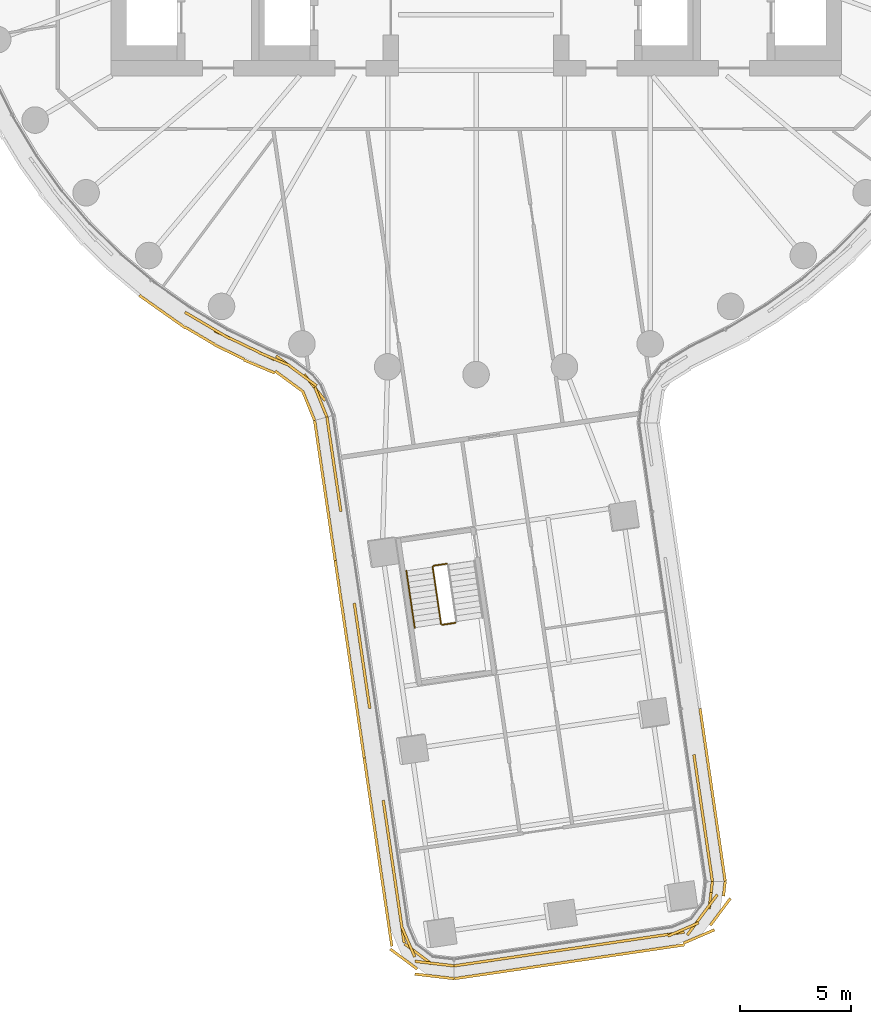
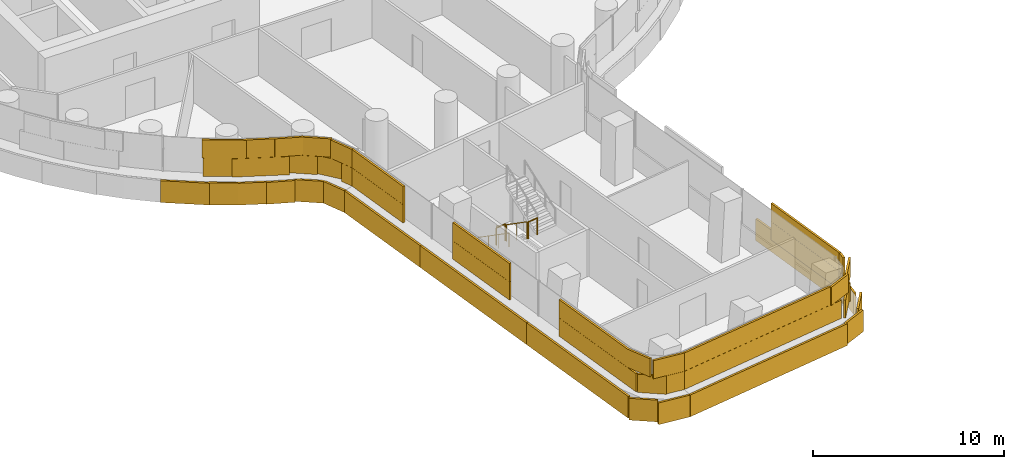
# One storey, part 25 of 31: 6 coverings, 4 railings.
"""IFC4 building model written with IfcOpenShell, lengths in metres."""

from ifc_helpers import new_model, si_unit, direction, frame, origin, origin_2d, place, context, subcontext, project, spatial, rectangle, circle, extrude, material, layer, layer_set, type_object, element, save


model = new_model("IFC4")

# Units and contexts
model_context = context("Model", 3, precision=1e-05, world=origin(), true_north=direction((0.0, 1.0)))
body_context = subcontext(model_context, "Body", "Model", "MODEL_VIEW")
ifc_project = project(units=[si_unit("LENGTHUNIT", "METRE"), si_unit("AREAUNIT", "SQUARE_METRE"), si_unit("VOLUMEUNIT", "CUBIC_METRE"), si_unit("PLANEANGLEUNIT", "RADIAN"), si_unit("MASSUNIT", "GRAM", prefix="KILO")], contexts=[model_context])

# Site, building, storey
site_placement = place(None, origin())
site = spatial("IfcSite", under=ifc_project, at=site_placement, CompositionType="ELEMENT")
building_placement = place(site_placement, origin())
building = spatial("IfcBuilding", under=site, at=building_placement, Name="Tamarind Cross Interchange Tower", CompositionType="ELEMENT")
storey_placement = place(building_placement, frame((0.0, 0.0, 64.0)))
storey = spatial("IfcBuildingStorey", under=building, at=storey_placement, Name="L14", CompositionType="ELEMENT", Elevation=64.0)

# Railings
ifc_material_1 = material(Name="Stair guard")
railing_type_1 = type_object("IfcRailingType", Name="Stair guard", PredefinedType="GUARDRAIL", material=ifc_material_1)
railing_1_placement = place(storey_placement, frame((-1.962646484375, -31.688232421875, 0.17041015625)))
element("IfcRailing", 1, at=railing_1_placement, inside=storey, type_object=railing_type_1, Name="L14 ST6 stair guard 1", PredefinedType="GUARDRAIL", context=body_context, shape_type="SweptSolid", body=[
    extrude(circle(Radius=0.02392578125, at=origin_2d()), frame((0.0, 0.0, 1.076171875), z_axis=(0.121642746528, -0.827390559983, 0.548295452715), x_axis=(0.989364700456, 0.145456142844, 0.0)), (0.0, 0.0, 1.0), 3.10888671875),
    extrude(circle(Radius=0.02099609375, at=origin_2d()), origin(), (0.0, 0.0, 1.0), 1.052001953125),
    extrude(circle(Radius=0.02099609375, at=origin_2d()), frame((0.1259765625, -0.857421875, 0.568115234375)), (0.0, 0.0, 1.0), 1.052001953125),
    extrude(circle(Radius=0.02099609375, at=origin_2d()), frame((0.252197265625, -1.71484375, 1.136474609375)), (0.0, 0.0, 1.0), 1.052001953125),
    extrude(circle(Radius=0.02099609375, at=origin_2d()), frame((0.378173828125, -2.572265625, 1.70458984375)), (0.0, 0.0, 1.0), 1.052001953125),
])
railing_2_placement = place(storey_placement, frame((-1.52783203125, -34.302734375, 1.875)))
element("IfcRailing", 2, at=railing_2_placement, inside=storey, type_object=railing_type_1, Name="L14 ST6 stair guard 2", PredefinedType="GUARDRAIL", context=body_context, shape_type="SweptSolid", body=[
    extrude(circle(Radius=0.02392578125, at=origin_2d()), frame((0.0, 0.0, 1.076171875), z_axis=(0.989388407439, 0.145294801093, 0.0), x_axis=(-0.145294801093, 0.989388407439, 0.0)), (0.0, 0.0, 1.0), 0.599853515625),
    extrude(circle(Radius=0.02099609375, at=origin_2d()), origin(), (0.0, 0.0, 1.0), 1.052001953125),
    extrude(circle(Radius=0.02099609375, at=origin_2d()), frame((0.593505859375, 0.087158203125, 0.0)), (0.0, 0.0, 1.0), 1.052001953125),
])
railing_3_placement = place(storey_placement, frame((-1.92041015625, -31.63134765625, 0.0)))
element("IfcRailing", 3, at=railing_3_placement, inside=storey, type_object=railing_type_1, Name="L14 ST6 stair guard 4", PredefinedType="GUARDRAIL", context=body_context, shape_type="SweptSolid", body=[
    extrude(circle(Radius=0.02392578125, at=origin_2d()), frame((0.0, 0.0, 1.076171875), z_axis=(0.98939699401, 0.145236318611, 0.0), x_axis=(-0.145236318611, 0.98939699401, 0.0)), (0.0, 0.0, 1.0), 0.60009765625),
    extrude(circle(Radius=0.02099609375, at=origin_2d()), origin(), (0.0, 0.0, 1.0), 1.052001953125),
    extrude(circle(Radius=0.02099609375, at=origin_2d()), frame((0.59375, 0.087158203125, 0.0)), (0.0, 0.0, 1.0), 1.052001953125),
])
ifc_material_2 = material(Name="Stair handrail")
railing_type_2 = type_object("IfcRailingType", Name="Stair handrail", PredefinedType="HANDRAIL", material=ifc_material_2)
railing_4_placement = place(storey_placement, frame((-3.149658203125, -31.862548828125, 0.17041015625)))
element("IfcRailing", 4, at=railing_4_placement, inside=storey, type_object=railing_type_2, Name="L14 ST6 stair handrail 1", PredefinedType="HANDRAIL", context=body_context, shape_type="SweptSolid", body=[
    extrude(circle(Radius=0.02392578125, at=origin_2d()), frame((0.0, 0.0, 0.8759765625), z_axis=(0.121557479117, -0.82742322833, 0.548265064079), x_axis=(0.989380193908, 0.145350720335, 0.0)), (0.0, 0.0, 1.0), 3.109130859375),
    extrude(circle(Radius=0.02099609375, at=origin_2d()), origin(), (0.0, 0.0, 1.0), 0.851806640625),
    extrude(circle(Radius=0.02099609375, at=origin_2d()), frame((0.1259765625, -0.857421875, 0.568115234375)), (0.0, 0.0, 1.0), 0.851806640625),
    extrude(circle(Radius=0.02099609375, at=origin_2d()), frame((0.251953125, -1.715087890625, 1.136474609375)), (0.0, 0.0, 1.0), 0.851806640625),
    extrude(circle(Radius=0.02099609375, at=origin_2d()), frame((0.3779296875, -2.572509765625, 1.70458984375)), (0.0, 0.0, 1.0), 0.851806640625),
])

# Coverings
ifc_material_3 = material(Name="Terracotta", Category="masonry")
ifc_layer = layer(ifc_material_3, 0.1201171875)
ifc_layer_set = layer_set([ifc_layer], Name="Terracotta")
covering_type = type_object("IfcCoveringType", Name="Terracotta baguette screen unit", PredefinedType="MOLDING", material=ifc_layer_set)
covering_1_placement = place(storey_placement, origin())
element("IfcCovering", 5, at=covering_1_placement, inside=storey, type_object=covering_type, Name="SCR-L14-02-01", PredefinedType="MOLDING", context=body_context, shape_type="SweptSolid", body=[
    extrude(rectangle(XDim=1.52001953125, YDim=0.1201171875, at=origin_2d()), frame((-12.439697265625, -20.6025390625, 1.404052734375), z_axis=(0.0, 0.0, 1.0), x_axis=(0.861248933065, -0.508183308752, 0.0)), (0.0, 0.0, 1.0), 1.1669921875),
    extrude(rectangle(XDim=1.52001953125, YDim=0.1201171875, at=origin_2d()), frame((-11.137451171875, -21.345703125, 1.404052734375), z_axis=(0.0, 0.0, 1.0), x_axis=(0.900272776334, -0.435326231914, 0.0)), (0.0, 0.0, 1.0), 1.1669921875),
    extrude(rectangle(XDim=1.52001953125, YDim=0.1201171875, at=origin_2d()), frame((-9.787109375, -21.998779296875, 1.404052734375), z_axis=(0.0, 0.0, 1.0), x_axis=(0.900272776334, -0.435326231914, 0.0)), (0.0, 0.0, 1.0), 1.1669921875),
    extrude(rectangle(XDim=1.52001953125, YDim=0.1201171875, at=origin_2d()), frame((-8.419921875, -22.610595703125, 1.404052734375), z_axis=(0.0, 0.0, 1.0), x_axis=(0.804922360255, -0.593380142878, 0.0)), (0.0, 0.0, 1.0), 1.1669921875),
    extrude(rectangle(XDim=1.52001953125, YDim=0.1201171875, at=origin_2d()), frame((-7.292724609375, -23.583740234375, 1.404052734375), z_axis=(0.0, 0.0, 1.0), x_axis=(0.622805604079, -0.78237662256, 0.0)), (0.0, 0.0, 1.0), 1.1669921875),
    extrude(rectangle(XDim=0.70751953125, YDim=0.1201171875, at=origin_2d()), frame((-6.868408203125, -24.59521484375, 1.404052734375), z_axis=(0.0, 0.0, 1.0), x_axis=(0.37557676071, -0.92679129086, 0.0)), (0.0, 0.0, 1.0), 1.1669921875),
    extrude(rectangle(XDim=0.831298828125, YDim=0.1201171875, at=origin_2d()), frame((-12.793212890625, -20.393798828125, 2.5791015625), z_axis=(0.0, 0.0, 1.0), x_axis=(0.861248933065, -0.508183308752, 0.0)), (0.0, 0.0, 1.0), 1.1669921875),
    extrude(rectangle(XDim=1.52001953125, YDim=0.1201171875, at=origin_2d()), frame((-11.793701171875, -20.983642578125, 2.5791015625), z_axis=(0.0, 0.0, 1.0), x_axis=(0.861248933065, -0.508183308752, 0.0)), (0.0, 0.0, 1.0), 1.1669921875),
    extrude(rectangle(XDim=1.52001953125, YDim=0.1201171875, at=origin_2d()), frame((-10.46240234375, -21.672119140625, 2.5791015625), z_axis=(0.0, 0.0, 1.0), x_axis=(0.900272776334, -0.435326231914, 0.0)), (0.0, 0.0, 1.0), 1.1669921875),
    extrude(rectangle(XDim=1.52001953125, YDim=0.1201171875, at=origin_2d()), frame((-9.101318359375, -22.301513671875, 2.5791015625), z_axis=(0.0, 0.0, 1.0), x_axis=(0.920810985922, -0.390009138618, 0.0)), (0.0, 0.0, 1.0), 1.1669921875),
    extrude(rectangle(XDim=1.52001953125, YDim=0.1201171875, at=origin_2d()), frame((-7.81640625, -23.0556640625, 2.5791015625), z_axis=(0.0, 0.0, 1.0), x_axis=(0.804922360255, -0.593380142878, 0.0)), (0.0, 0.0, 1.0), 1.1669921875),
    extrude(rectangle(XDim=1.45751953125, YDim=0.1201171875, at=origin_2d()), frame((-7.009033203125, -24.24755859375, 2.5791015625), z_axis=(0.0, 0.0, 1.0), x_axis=(0.37557676071, -0.92679129086, 0.0)), (0.0, 0.0, 1.0), 1.1669921875),
    extrude(rectangle(XDim=1.07080078125, YDim=0.1201171875, at=origin_2d()), frame((-14.775390625, -19.72900390625, 0.00390625), z_axis=(0.0, 0.0, 1.0), x_axis=(0.816341886298, -0.577568978284, 0.0)), (0.0, 0.0, 1.0), 1.39208984375),
    extrude(rectangle(XDim=1.52001953125, YDim=0.1201171875, at=origin_2d()), frame((-13.734375, -20.465576171875, 0.00390625), z_axis=(0.0, 0.0, 1.0), x_axis=(0.816341886298, -0.577568978284, 0.0)), (0.0, 0.0, 1.0), 1.39208984375),
    extrude(rectangle(XDim=1.52001953125, YDim=0.1201171875, at=origin_2d()), frame((-12.4609375, -21.25634765625, 0.00390625), z_axis=(0.0, 0.0, 1.0), x_axis=(0.861248933065, -0.508183308752, 0.0)), (0.0, 0.0, 1.0), 1.39208984375),
    extrude(rectangle(XDim=1.52001953125, YDim=0.1201171875, at=origin_2d()), frame((-11.1474609375, -21.978515625, 0.00390625), z_axis=(0.0, 0.0, 1.0), x_axis=(0.900272776334, -0.435326231914, 0.0)), (0.0, 0.0, 1.0), 1.39208984375),
    extrude(rectangle(XDim=1.52001953125, YDim=0.1201171875, at=origin_2d()), frame((-9.796630859375, -22.63037109375, 0.00390625), z_axis=(0.0, 0.0, 1.0), x_axis=(0.920810985922, -0.390009138618, 0.0)), (0.0, 0.0, 1.0), 1.39208984375),
    extrude(rectangle(XDim=1.52001953125, YDim=0.1201171875, at=origin_2d()), frame((-8.460205078125, -23.294189453125, 0.00390625), z_axis=(0.0, 0.0, 1.0), x_axis=(0.804922360255, -0.593380142878, 0.0)), (0.0, 0.0, 1.0), 1.39208984375),
    extrude(rectangle(XDim=1.447265625, YDim=0.1201171875, at=origin_2d()), frame((-7.56689453125, -24.3994140625, 0.00390625), z_axis=(0.0, 0.0, 1.0), x_axis=(0.37557676071, -0.92679129086, 0.0)), (0.0, 0.0, 1.0), 1.39208984375),
])
covering_2_placement = place(storey_placement, origin())
element("IfcCovering", 6, at=covering_2_placement, inside=storey, type_object=covering_type, Name="SCR-L14-03-00", PredefinedType="MOLDING", context=body_context, shape_type="SweptSolid", body=[
    extrude(rectangle(XDim=1.510009765625, YDim=0.1201171875, at=origin_2d()), frame((-6.62841796875, -25.660400390625, 1.404052734375), z_axis=(0.0, 0.0, 1.0), x_axis=(0.14536472205, -0.989378136803, 0.0)), (0.0, 0.0, 1.0), 1.1669921875),
    extrude(rectangle(XDim=1.52001953125, YDim=0.1201171875, at=origin_2d()), frame((-6.41015625, -27.14453125, 1.404052734375), z_axis=(0.0, 0.0, 1.0), x_axis=(0.14536472205, -0.989378136803, 0.0)), (0.0, 0.0, 1.0), 1.1669921875),
    extrude(rectangle(XDim=1.313232421875, YDim=0.1201171875, at=origin_2d()), frame((-6.20654296875, -28.531005859375, 1.404052734375), z_axis=(0.0, 0.0, 1.0), x_axis=(0.14536472205, -0.989378136803, 0.0)), (0.0, 0.0, 1.0), 1.1669921875),
    extrude(rectangle(XDim=0.760009765625, YDim=0.1201171875, at=origin_2d()), frame((-6.682861328125, -25.289306640625, 2.5791015625), z_axis=(0.0, 0.0, 1.0), x_axis=(0.14536472205, -0.989378136803, 0.0)), (0.0, 0.0, 1.0), 1.1669921875),
    extrude(rectangle(XDim=1.52001953125, YDim=0.1201171875, at=origin_2d()), frame((-6.519287109375, -26.40234375, 2.5791015625), z_axis=(0.0, 0.0, 1.0), x_axis=(0.14536472205, -0.989378136803, 0.0)), (0.0, 0.0, 1.0), 1.1669921875),
    extrude(rectangle(XDim=1.52001953125, YDim=0.1201171875, at=origin_2d()), frame((-6.30126953125, -27.886474609375, 2.5791015625), z_axis=(0.0, 0.0, 1.0), x_axis=(0.14536472205, -0.989378136803, 0.0)), (0.0, 0.0, 1.0), 1.1669921875),
    extrude(rectangle(XDim=0.563232421875, YDim=0.1201171875, at=origin_2d()), frame((-6.152099609375, -28.902099609375, 2.5791015625), z_axis=(0.0, 0.0, 1.0), x_axis=(0.14536472205, -0.989378136803, 0.0)), (0.0, 0.0, 1.0), 1.1669921875),
    extrude(rectangle(XDim=1.510009765625, YDim=0.1201171875, at=origin_2d()), frame((-7.185546875, -25.81689453125, 0.00390625), z_axis=(0.0, 0.0, 1.0), x_axis=(0.14536472205, -0.989378136803, 0.0)), (0.0, 0.0, 1.0), 1.39208984375),
    extrude(rectangle(XDim=1.52001953125, YDim=0.1201171875, at=origin_2d()), frame((-6.96826171875, -27.296142578125, 0.00390625), z_axis=(0.0, 0.0, 1.0), x_axis=(0.14536472205, -0.989378136803, 0.0)), (0.0, 0.0, 1.0), 1.39208984375),
    extrude(rectangle(XDim=1.52001953125, YDim=0.1201171875, at=origin_2d()), frame((-6.75, -28.7802734375, 0.00390625), z_axis=(0.0, 0.0, 1.0), x_axis=(0.14536472205, -0.989378136803, 0.0)), (0.0, 0.0, 1.0), 1.39208984375),
    extrude(rectangle(XDim=1.52001953125, YDim=0.1201171875, at=origin_2d()), frame((-6.531982421875, -30.26416015625, 0.00390625), z_axis=(0.0, 0.0, 1.0), x_axis=(0.14536472205, -0.989378136803, 0.0)), (0.0, 0.0, 1.0), 1.39208984375),
    extrude(rectangle(XDim=0.4150390625, YDim=0.1201171875, at=origin_2d()), frame((-6.394287109375, -31.20166015625, 0.00390625), z_axis=(0.0, 0.0, 1.0), x_axis=(0.14536472205, -0.989378136803, 0.0)), (0.0, 0.0, 1.0), 1.39208984375),
])
covering_3_placement = place(storey_placement, origin())
element("IfcCovering", 7, at=covering_3_placement, inside=storey, type_object=covering_type, Name="SCR-L14-03-01", PredefinedType="MOLDING", context=body_context, shape_type="SweptSolid", body=[
    extrude(rectangle(XDim=0.5068359375, YDim=0.1201171875, at=origin_2d()), frame((-5.465087890625, -33.576904296875, 1.404052734375), z_axis=(0.0, 0.0, 1.0), x_axis=(0.14536472205, -0.989378136803, 0.0)), (0.0, 0.0, 1.0), 1.1669921875),
    extrude(rectangle(XDim=1.52001953125, YDim=0.1201171875, at=origin_2d()), frame((-5.320068359375, -34.564697265625, 1.404052734375), z_axis=(0.0, 0.0, 1.0), x_axis=(0.14536472205, -0.989378136803, 0.0)), (0.0, 0.0, 1.0), 1.1669921875),
    extrude(rectangle(XDim=1.52001953125, YDim=0.1201171875, at=origin_2d()), frame((-5.10205078125, -36.048828125, 1.404052734375), z_axis=(0.0, 0.0, 1.0), x_axis=(0.14536472205, -0.989378136803, 0.0)), (0.0, 0.0, 1.0), 1.1669921875),
    extrude(rectangle(XDim=1.3134765625, YDim=0.1201171875, at=origin_2d()), frame((-4.898193359375, -37.435791015625, 1.404052734375), z_axis=(0.0, 0.0, 1.0), x_axis=(0.14536472205, -0.989378136803, 0.0)), (0.0, 0.0, 1.0), 1.1669921875),
    extrude(rectangle(XDim=1.2568359375, YDim=0.1201171875, at=origin_2d()), frame((-5.41064453125, -33.947998046875, 2.5791015625), z_axis=(0.0, 0.0, 1.0), x_axis=(0.14536472205, -0.989378136803, 0.0)), (0.0, 0.0, 1.0), 1.1669921875),
    extrude(rectangle(XDim=1.52001953125, YDim=0.1201171875, at=origin_2d()), frame((-5.2109375, -35.306884765625, 2.5791015625), z_axis=(0.0, 0.0, 1.0), x_axis=(0.14536472205, -0.989378136803, 0.0)), (0.0, 0.0, 1.0), 1.1669921875),
    extrude(rectangle(XDim=1.52001953125, YDim=0.1201171875, at=origin_2d()), frame((-4.992919921875, -36.790771484375, 2.5791015625), z_axis=(0.0, 0.0, 1.0), x_axis=(0.14536472205, -0.989378136803, 0.0)), (0.0, 0.0, 1.0), 1.1669921875),
    extrude(rectangle(XDim=0.5634765625, YDim=0.1201171875, at=origin_2d()), frame((-4.84375, -37.806640625, 2.5791015625), z_axis=(0.0, 0.0, 1.0), x_axis=(0.14536472205, -0.989378136803, 0.0)), (0.0, 0.0, 1.0), 1.1669921875),
    extrude(rectangle(XDim=1.10498046875, YDim=0.1201171875, at=origin_2d()), frame((-6.283935546875, -31.95361328125, 0.00390625), z_axis=(0.0, 0.0, 1.0), x_axis=(0.14536472205, -0.989378136803, 0.0)), (0.0, 0.0, 1.0), 1.39208984375),
    extrude(rectangle(XDim=1.52001953125, YDim=0.1201171875, at=origin_2d()), frame((-6.095947265625, -33.232421875, 0.00390625), z_axis=(0.0, 0.0, 1.0), x_axis=(0.14536472205, -0.989378136803, 0.0)), (0.0, 0.0, 1.0), 1.39208984375),
    extrude(rectangle(XDim=1.52001953125, YDim=0.1201171875, at=origin_2d()), frame((-5.8779296875, -34.71630859375, 0.00390625), z_axis=(0.0, 0.0, 1.0), x_axis=(0.14536472205, -0.989378136803, 0.0)), (0.0, 0.0, 1.0), 1.39208984375),
    extrude(rectangle(XDim=1.52001953125, YDim=0.1201171875, at=origin_2d()), frame((-5.659912109375, -36.200439453125, 0.00390625), z_axis=(0.0, 0.0, 1.0), x_axis=(0.14536472205, -0.989378136803, 0.0)), (0.0, 0.0, 1.0), 1.39208984375),
    extrude(rectangle(XDim=1.52001953125, YDim=0.1201171875, at=origin_2d()), frame((-5.44189453125, -37.6845703125, 0.00390625), z_axis=(0.0, 0.0, 1.0), x_axis=(0.14536472205, -0.989378136803, 0.0)), (0.0, 0.0, 1.0), 1.39208984375),
    extrude(rectangle(XDim=1.52001953125, YDim=0.1201171875, at=origin_2d()), frame((-5.223876953125, -39.168701171875, 0.00390625), z_axis=(0.0, 0.0, 1.0), x_axis=(0.14536472205, -0.989378136803, 0.0)), (0.0, 0.0, 1.0), 1.39208984375),
    extrude(rectangle(XDim=0.41796875, YDim=0.1201171875, at=origin_2d()), frame((-5.0859375, -40.107421875, 0.00390625), z_axis=(0.0, 0.0, 1.0), x_axis=(0.14536472205, -0.989378136803, 0.0)), (0.0, 0.0, 1.0), 1.39208984375),
])
covering_4_placement = place(storey_placement, origin())
element("IfcCovering", 8, at=covering_4_placement, inside=storey, type_object=covering_type, Name="SCR-L14-03-02", PredefinedType="MOLDING", context=body_context, shape_type="SweptSolid", body=[
    extrude(rectangle(XDim=0.50634765625, YDim=0.1201171875, at=origin_2d()), frame((-4.15673828125, -42.4814453125, 1.404052734375), z_axis=(0.0, 0.0, 1.0), x_axis=(0.14536472205, -0.989378136803, 0.0)), (0.0, 0.0, 1.0), 1.1669921875),
    extrude(rectangle(XDim=1.52001953125, YDim=0.1201171875, at=origin_2d()), frame((-4.01171875, -43.46923828125, 1.404052734375), z_axis=(0.0, 0.0, 1.0), x_axis=(0.14536472205, -0.989378136803, 0.0)), (0.0, 0.0, 1.0), 1.1669921875),
    extrude(rectangle(XDim=1.52001953125, YDim=0.1201171875, at=origin_2d()), frame((-3.793701171875, -44.953125, 1.404052734375), z_axis=(0.0, 0.0, 1.0), x_axis=(0.14536472205, -0.989378136803, 0.0)), (0.0, 0.0, 1.0), 1.1669921875),
    extrude(rectangle(XDim=1.52001953125, YDim=0.1201171875, at=origin_2d()), frame((-3.57568359375, -46.437255859375, 1.404052734375), z_axis=(0.0, 0.0, 1.0), x_axis=(0.14536472205, -0.989378136803, 0.0)), (0.0, 0.0, 1.0), 1.1669921875),
    extrude(rectangle(XDim=1.52001953125, YDim=0.1201171875, at=origin_2d()), frame((-3.357666015625, -47.92138671875, 1.404052734375), z_axis=(0.0, 0.0, 1.0), x_axis=(0.14536472205, -0.989378136803, 0.0)), (0.0, 0.0, 1.0), 1.1669921875),
    extrude(rectangle(XDim=1.52001953125, YDim=0.1201171875, at=origin_2d()), frame((-2.61279296875, -49.175048828125, 1.404052734375), z_axis=(0.0, 0.0, 1.0), x_axis=(0.802384370398, -0.596807608984, 0.0)), (0.0, 0.0, 1.0), 1.1669921875),
    extrude(rectangle(XDim=1.0224609375, YDim=0.1201171875, at=origin_2d()), frame((-1.4970703125, -49.65283203125, 1.404052734375), z_axis=(0.0, 0.0, 1.0), x_axis=(0.993289052856, -0.115658365354, 0.0)), (0.0, 0.0, 1.0), 1.1669921875),
    extrude(rectangle(XDim=1.25634765625, YDim=0.1201171875, at=origin_2d()), frame((-4.102294921875, -42.8525390625, 2.5791015625), z_axis=(0.0, 0.0, 1.0), x_axis=(0.14536472205, -0.989378136803, 0.0)), (0.0, 0.0, 1.0), 1.1669921875),
    extrude(rectangle(XDim=1.52001953125, YDim=0.1201171875, at=origin_2d()), frame((-3.90283203125, -44.211181640625, 2.5791015625), z_axis=(0.0, 0.0, 1.0), x_axis=(0.14536472205, -0.989378136803, 0.0)), (0.0, 0.0, 1.0), 1.1669921875),
    extrude(rectangle(XDim=1.52001953125, YDim=0.1201171875, at=origin_2d()), frame((-3.6845703125, -45.6953125, 2.5791015625), z_axis=(0.0, 0.0, 1.0), x_axis=(0.14536472205, -0.989378136803, 0.0)), (0.0, 0.0, 1.0), 1.1669921875),
    extrude(rectangle(XDim=1.52001953125, YDim=0.1201171875, at=origin_2d()), frame((-3.466552734375, -47.179443359375, 2.5791015625), z_axis=(0.0, 0.0, 1.0), x_axis=(0.14536472205, -0.989378136803, 0.0)), (0.0, 0.0, 1.0), 1.1669921875),
    extrude(rectangle(XDim=1.52001953125, YDim=0.1201171875, at=origin_2d()), frame((-3.0693359375, -48.612548828125, 2.5791015625), z_axis=(0.0, 0.0, 1.0), x_axis=(0.396481443872, -0.918042735751, 0.0)), (0.0, 0.0, 1.0), 1.1669921875),
    extrude(rectangle(XDim=1.52001953125, YDim=0.1201171875, at=origin_2d()), frame((-1.999755859375, -49.594482421875, 2.5791015625), z_axis=(0.0, 0.0, 1.0), x_axis=(0.993289052856, -0.115658365354, 0.0)), (0.0, 0.0, 1.0), 1.1669921875),
    extrude(rectangle(XDim=0.2724609375, YDim=0.1201171875, at=origin_2d()), frame((-1.12451171875, -49.6962890625, 2.5791015625), z_axis=(0.0, 0.0, 1.0), x_axis=(0.993289052856, -0.115658365354, 0.0)), (0.0, 0.0, 1.0), 1.1669921875),
    extrude(rectangle(XDim=1.10205078125, YDim=0.1201171875, at=origin_2d()), frame((-4.975341796875, -40.859375, 0.00390625), z_axis=(0.0, 0.0, 1.0), x_axis=(0.14536472205, -0.989378136803, 0.0)), (0.0, 0.0, 1.0), 1.39208984375),
    extrude(rectangle(XDim=1.52001953125, YDim=0.1201171875, at=origin_2d()), frame((-4.78759765625, -42.13671875, 0.00390625), z_axis=(0.0, 0.0, 1.0), x_axis=(0.14536472205, -0.989378136803, 0.0)), (0.0, 0.0, 1.0), 1.39208984375),
    extrude(rectangle(XDim=1.52001953125, YDim=0.1201171875, at=origin_2d()), frame((-4.569580078125, -43.620849609375, 0.00390625), z_axis=(0.0, 0.0, 1.0), x_axis=(0.14536472205, -0.989378136803, 0.0)), (0.0, 0.0, 1.0), 1.39208984375),
    extrude(rectangle(XDim=1.52001953125, YDim=0.1201171875, at=origin_2d()), frame((-4.3515625, -45.10498046875, 0.00390625), z_axis=(0.0, 0.0, 1.0), x_axis=(0.14536472205, -0.989378136803, 0.0)), (0.0, 0.0, 1.0), 1.39208984375),
    extrude(rectangle(XDim=1.52001953125, YDim=0.1201171875, at=origin_2d()), frame((-4.133544921875, -46.5888671875, 0.00390625), z_axis=(0.0, 0.0, 1.0), x_axis=(0.14536472205, -0.989378136803, 0.0)), (0.0, 0.0, 1.0), 1.39208984375),
    extrude(rectangle(XDim=1.52001953125, YDim=0.1201171875, at=origin_2d()), frame((-3.91552734375, -48.072998046875, 0.00390625), z_axis=(0.0, 0.0, 1.0), x_axis=(0.14536472205, -0.989378136803, 0.0)), (0.0, 0.0, 1.0), 1.39208984375),
    extrude(rectangle(XDim=1.52001953125, YDim=0.1201171875, at=origin_2d()), frame((-3.26806640625, -49.403076171875, 0.00390625), z_axis=(0.0, 0.0, 1.0), x_axis=(0.802384370398, -0.596807608984, 0.0)), (0.0, 0.0, 1.0), 1.39208984375),
    extrude(rectangle(XDim=1.52001953125, YDim=0.1201171875, at=origin_2d()), frame((-2.013916015625, -50.170654296875, 0.00390625), z_axis=(0.0, 0.0, 1.0), x_axis=(0.993289052856, -0.115658365354, 0.0)), (0.0, 0.0, 1.0), 1.39208984375),
    extrude(rectangle(XDim=0.29541015625, YDim=0.1201171875, at=origin_2d()), frame((-1.13232421875, -50.273193359375, 0.00390625), z_axis=(0.0, 0.0, 1.0), x_axis=(0.993289052856, -0.115658365354, 0.0)), (0.0, 0.0, 1.0), 1.39208984375),
])
covering_5_placement = place(storey_placement, origin())
element("IfcCovering", 9, at=covering_5_placement, inside=storey, type_object=covering_type, Name="SCR-L14-04-00", PredefinedType="MOLDING", context=body_context, shape_type="SweptSolid", body=[
    extrude(rectangle(XDim=1.510009765625, YDim=0.1201171875, at=origin_2d()), frame((-0.252197265625, -49.6025390625, 1.404052734375), z_axis=(0.0, 0.0, 1.0), x_axis=(0.989378136803, 0.14536472205, 0.0)), (0.0, 0.0, 1.0), 1.1669921875),
    extrude(rectangle(XDim=1.52001953125, YDim=0.1201171875, at=origin_2d()), frame((1.23193359375, -49.384521484375, 1.404052734375), z_axis=(0.0, 0.0, 1.0), x_axis=(0.989378136803, 0.14536472205, 0.0)), (0.0, 0.0, 1.0), 1.1669921875),
    extrude(rectangle(XDim=1.52001953125, YDim=0.1201171875, at=origin_2d()), frame((2.716064453125, -49.166259765625, 1.404052734375), z_axis=(0.0, 0.0, 1.0), x_axis=(0.989378136803, 0.14536472205, 0.0)), (0.0, 0.0, 1.0), 1.1669921875),
    extrude(rectangle(XDim=1.52001953125, YDim=0.1201171875, at=origin_2d()), frame((4.2001953125, -48.9482421875, 1.404052734375), z_axis=(0.0, 0.0, 1.0), x_axis=(0.989378136803, 0.14536472205, 0.0)), (0.0, 0.0, 1.0), 1.1669921875),
    extrude(rectangle(XDim=1.52001953125, YDim=0.1201171875, at=origin_2d()), frame((5.68408203125, -48.730224609375, 1.404052734375), z_axis=(0.0, 0.0, 1.0), x_axis=(0.989378136803, 0.14536472205, 0.0)), (0.0, 0.0, 1.0), 1.1669921875),
    extrude(rectangle(XDim=1.52001953125, YDim=0.1201171875, at=origin_2d()), frame((7.168212890625, -48.51220703125, 1.404052734375), z_axis=(0.0, 0.0, 1.0), x_axis=(0.989378136803, 0.14536472205, 0.0)), (0.0, 0.0, 1.0), 1.1669921875),
    extrude(rectangle(XDim=1.52001953125, YDim=0.1201171875, at=origin_2d()), frame((8.65234375, -48.294189453125, 1.404052734375), z_axis=(0.0, 0.0, 1.0), x_axis=(0.989378136803, 0.14536472205, 0.0)), (0.0, 0.0, 1.0), 1.1669921875),
    extrude(rectangle(XDim=1.52001953125, YDim=0.1201171875, at=origin_2d()), frame((9.9990234375, -47.705322265625, 1.404052734375), z_axis=(0.0, 0.0, 1.0), x_axis=(0.596807608984, 0.802384370398, 0.0)), (0.0, 0.0, 1.0), 1.1669921875),
    extrude(rectangle(XDim=1.259521484375, YDim=0.1201171875, at=origin_2d()), frame((10.604736328125, -46.516845703125, 1.404052734375), z_axis=(0.0, 0.0, 1.0), x_axis=(0.115658365354, 0.993289052856, 0.0)), (0.0, 0.0, 1.0), 1.1669921875),
    extrude(rectangle(XDim=0.760009765625, YDim=0.1201171875, at=origin_2d()), frame((-0.623046875, -49.656982421875, 2.5791015625), z_axis=(0.0, 0.0, 1.0), x_axis=(0.989378136803, 0.14536472205, 0.0)), (0.0, 0.0, 1.0), 1.1669921875),
    extrude(rectangle(XDim=1.52001953125, YDim=0.1201171875, at=origin_2d()), frame((0.489990234375, -49.493408203125, 2.5791015625), z_axis=(0.0, 0.0, 1.0), x_axis=(0.989378136803, 0.14536472205, 0.0)), (0.0, 0.0, 1.0), 1.1669921875),
    extrude(rectangle(XDim=1.52001953125, YDim=0.1201171875, at=origin_2d()), frame((1.97412109375, -49.275390625, 2.5791015625), z_axis=(0.0, 0.0, 1.0), x_axis=(0.989378136803, 0.14536472205, 0.0)), (0.0, 0.0, 1.0), 1.1669921875),
    extrude(rectangle(XDim=1.52001953125, YDim=0.1201171875, at=origin_2d()), frame((3.4580078125, -49.057373046875, 2.5791015625), z_axis=(0.0, 0.0, 1.0), x_axis=(0.989378136803, 0.14536472205, 0.0)), (0.0, 0.0, 1.0), 1.1669921875),
    extrude(rectangle(XDim=1.52001953125, YDim=0.1201171875, at=origin_2d()), frame((4.942138671875, -48.83935546875, 2.5791015625), z_axis=(0.0, 0.0, 1.0), x_axis=(0.989378136803, 0.14536472205, 0.0)), (0.0, 0.0, 1.0), 1.1669921875),
    extrude(rectangle(XDim=1.52001953125, YDim=0.1201171875, at=origin_2d()), frame((6.42626953125, -48.621337890625, 2.5791015625), z_axis=(0.0, 0.0, 1.0), x_axis=(0.989378136803, 0.14536472205, 0.0)), (0.0, 0.0, 1.0), 1.1669921875),
    extrude(rectangle(XDim=1.52001953125, YDim=0.1201171875, at=origin_2d()), frame((7.91015625, -48.4033203125, 2.5791015625), z_axis=(0.0, 0.0, 1.0), x_axis=(0.989378136803, 0.14536472205, 0.0)), (0.0, 0.0, 1.0), 1.1669921875),
    extrude(rectangle(XDim=1.52001953125, YDim=0.1201171875, at=origin_2d()), frame((9.3603515625, -48.065673828125, 2.5791015625), z_axis=(0.0, 0.0, 1.0), x_axis=(0.918042735751, 0.396481443872, 0.0)), (0.0, 0.0, 1.0), 1.1669921875),
    extrude(rectangle(XDim=1.52001953125, YDim=0.1201171875, at=origin_2d()), frame((10.44677734375, -47.103515625, 2.5791015625), z_axis=(0.0, 0.0, 1.0), x_axis=(0.596807608984, 0.802384370398, 0.0)), (0.0, 0.0, 1.0), 1.1669921875),
    extrude(rectangle(XDim=0.509521484375, YDim=0.1201171875, at=origin_2d()), frame((10.648193359375, -46.14453125, 2.5791015625), z_axis=(0.0, 0.0, 1.0), x_axis=(0.115658365354, 0.993289052856, 0.0)), (0.0, 0.0, 1.0), 1.1669921875),
    extrude(rectangle(XDim=1.510009765625, YDim=0.1201171875, at=origin_2d()), frame((-0.238525390625, -50.1806640625, 0.00390625), z_axis=(0.0, 0.0, 1.0), x_axis=(0.989378136803, 0.14536472205, 0.0)), (0.0, 0.0, 1.0), 1.39208984375),
    extrude(rectangle(XDim=1.52001953125, YDim=0.1201171875, at=origin_2d()), frame((1.24072265625, -49.96337890625, 0.00390625), z_axis=(0.0, 0.0, 1.0), x_axis=(0.989378136803, 0.14536472205, 0.0)), (0.0, 0.0, 1.0), 1.39208984375),
    extrude(rectangle(XDim=1.52001953125, YDim=0.1201171875, at=origin_2d()), frame((2.724609375, -49.745361328125, 0.00390625), z_axis=(0.0, 0.0, 1.0), x_axis=(0.989378136803, 0.14536472205, 0.0)), (0.0, 0.0, 1.0), 1.39208984375),
    extrude(rectangle(XDim=1.52001953125, YDim=0.1201171875, at=origin_2d()), frame((4.208740234375, -49.527099609375, 0.00390625), z_axis=(0.0, 0.0, 1.0), x_axis=(0.989378136803, 0.14536472205, 0.0)), (0.0, 0.0, 1.0), 1.39208984375),
    extrude(rectangle(XDim=1.52001953125, YDim=0.1201171875, at=origin_2d()), frame((5.69287109375, -49.30908203125, 0.00390625), z_axis=(0.0, 0.0, 1.0), x_axis=(0.989378136803, 0.14536472205, 0.0)), (0.0, 0.0, 1.0), 1.39208984375),
    extrude(rectangle(XDim=1.52001953125, YDim=0.1201171875, at=origin_2d()), frame((7.177001953125, -49.091064453125, 0.00390625), z_axis=(0.0, 0.0, 1.0), x_axis=(0.989378136803, 0.14536472205, 0.0)), (0.0, 0.0, 1.0), 1.39208984375),
    extrude(rectangle(XDim=1.52001953125, YDim=0.1201171875, at=origin_2d()), frame((8.660888671875, -48.873046875, 0.00390625), z_axis=(0.0, 0.0, 1.0), x_axis=(0.989378136803, 0.14536472205, 0.0)), (0.0, 0.0, 1.0), 1.39208984375),
    extrude(rectangle(XDim=1.52001953125, YDim=0.1201171875, at=origin_2d()), frame((10.068359375, -48.385009765625, 0.00390625), z_axis=(0.0, 0.0, 1.0), x_axis=(0.918042735751, 0.396481443872, 0.0)), (0.0, 0.0, 1.0), 1.39208984375),
    extrude(rectangle(XDim=1.52001953125, YDim=0.1201171875, at=origin_2d()), frame((11.035888671875, -47.27294921875, 0.00390625), z_axis=(0.0, 0.0, 1.0), x_axis=(0.596807608984, 0.802384370398, 0.0)), (0.0, 0.0, 1.0), 1.39208984375),
    extrude(rectangle(XDim=0.6767578125, YDim=0.1201171875, at=origin_2d()), frame((11.216796875, -46.22412109375, 0.00390625), z_axis=(0.0, 0.0, 1.0), x_axis=(0.115658365354, 0.993289052856, 0.0)), (0.0, 0.0, 1.0), 1.39208984375),
])
covering_6_placement = place(storey_placement, origin())
element("IfcCovering", 10, at=covering_6_placement, inside=storey, type_object=covering_type, Name="SCR-L14-05-00", PredefinedType="MOLDING", context=body_context, shape_type="SweptSolid", body=[
    extrude(rectangle(XDim=1.510009765625, YDim=0.1201171875, at=origin_2d()), frame((10.56884765625, -45.154052734375, 1.404052734375), z_axis=(0.0, 0.0, 1.0), x_axis=(-0.144186728298, 0.989550497642, 0.0)), (0.0, 0.0, 1.0), 1.1669921875),
    extrude(rectangle(XDim=1.52001953125, YDim=0.1201171875, at=origin_2d()), frame((10.3525390625, -43.669921875, 1.404052734375), z_axis=(0.0, 0.0, 1.0), x_axis=(-0.144186728298, 0.989550497642, 0.0)), (0.0, 0.0, 1.0), 1.1669921875),
    extrude(rectangle(XDim=1.52001953125, YDim=0.1201171875, at=origin_2d()), frame((10.136474609375, -42.185546875, 1.404052734375), z_axis=(0.0, 0.0, 1.0), x_axis=(-0.144186728298, 0.989550497642, 0.0)), (0.0, 0.0, 1.0), 1.1669921875),
    extrude(rectangle(XDim=1.2919921875, YDim=0.1201171875, at=origin_2d()), frame((9.935791015625, -40.80908203125, 1.404052734375), z_axis=(0.0, 0.0, 1.0), x_axis=(-0.144186728298, 0.989550497642, 0.0)), (0.0, 0.0, 1.0), 1.1669921875),
    extrude(rectangle(XDim=0.760009765625, YDim=0.1201171875, at=origin_2d()), frame((10.623046875, -45.525146484375, 2.5791015625), z_axis=(0.0, 0.0, 1.0), x_axis=(-0.144186728298, 0.989550497642, 0.0)), (0.0, 0.0, 1.0), 1.1669921875),
    extrude(rectangle(XDim=1.52001953125, YDim=0.1201171875, at=origin_2d()), frame((10.460693359375, -44.411865234375, 2.5791015625), z_axis=(0.0, 0.0, 1.0), x_axis=(-0.144186728298, 0.989550497642, 0.0)), (0.0, 0.0, 1.0), 1.1669921875),
    extrude(rectangle(XDim=1.52001953125, YDim=0.1201171875, at=origin_2d()), frame((10.24462890625, -42.927734375, 2.5791015625), z_axis=(0.0, 0.0, 1.0), x_axis=(-0.144186728298, 0.989550497642, 0.0)), (0.0, 0.0, 1.0), 1.1669921875),
    extrude(rectangle(XDim=1.52001953125, YDim=0.1201171875, at=origin_2d()), frame((10.0283203125, -41.443359375, 2.5791015625), z_axis=(0.0, 0.0, 1.0), x_axis=(-0.144186728298, 0.989550497642, 0.0)), (0.0, 0.0, 1.0), 1.1669921875),
    extrude(rectangle(XDim=0.5419921875, YDim=0.1201171875, at=origin_2d()), frame((9.8818359375, -40.43798828125, 2.5791015625), z_axis=(0.0, 0.0, 1.0), x_axis=(-0.144186728298, 0.989550497642, 0.0)), (0.0, 0.0, 1.0), 1.1669921875),
    extrude(rectangle(XDim=1.510009765625, YDim=0.1201171875, at=origin_2d()), frame((11.14697265625, -45.140869140625, 0.00390625), z_axis=(0.0, 0.0, 1.0), x_axis=(-0.144186728298, 0.989550497642, 0.0)), (0.0, 0.0, 1.0), 1.39208984375),
    extrude(rectangle(XDim=1.52001953125, YDim=0.1201171875, at=origin_2d()), frame((10.931396484375, -43.661376953125, 0.00390625), z_axis=(0.0, 0.0, 1.0), x_axis=(-0.144186728298, 0.989550497642, 0.0)), (0.0, 0.0, 1.0), 1.39208984375),
    extrude(rectangle(XDim=1.52001953125, YDim=0.1201171875, at=origin_2d()), frame((10.71533203125, -42.17724609375, 0.00390625), z_axis=(0.0, 0.0, 1.0), x_axis=(-0.144186728298, 0.989550497642, 0.0)), (0.0, 0.0, 1.0), 1.39208984375),
    extrude(rectangle(XDim=1.52001953125, YDim=0.1201171875, at=origin_2d()), frame((10.4990234375, -40.69287109375, 0.00390625), z_axis=(0.0, 0.0, 1.0), x_axis=(-0.144186728298, 0.989550497642, 0.0)), (0.0, 0.0, 1.0), 1.39208984375),
    extrude(rectangle(XDim=1.52001953125, YDim=0.1201171875, at=origin_2d()), frame((10.28271484375, -39.20849609375, 0.00390625), z_axis=(0.0, 0.0, 1.0), x_axis=(-0.144186728298, 0.989550497642, 0.0)), (0.0, 0.0, 1.0), 1.39208984375),
    extrude(rectangle(XDim=0.388671875, YDim=0.1201171875, at=origin_2d()), frame((10.14794921875, -38.283935546875, 0.00390625), z_axis=(0.0, 0.0, 1.0), x_axis=(-0.144186728298, 0.989550497642, 0.0)), (0.0, 0.0, 1.0), 1.39208984375),
])

save(model, "model.ifc")
